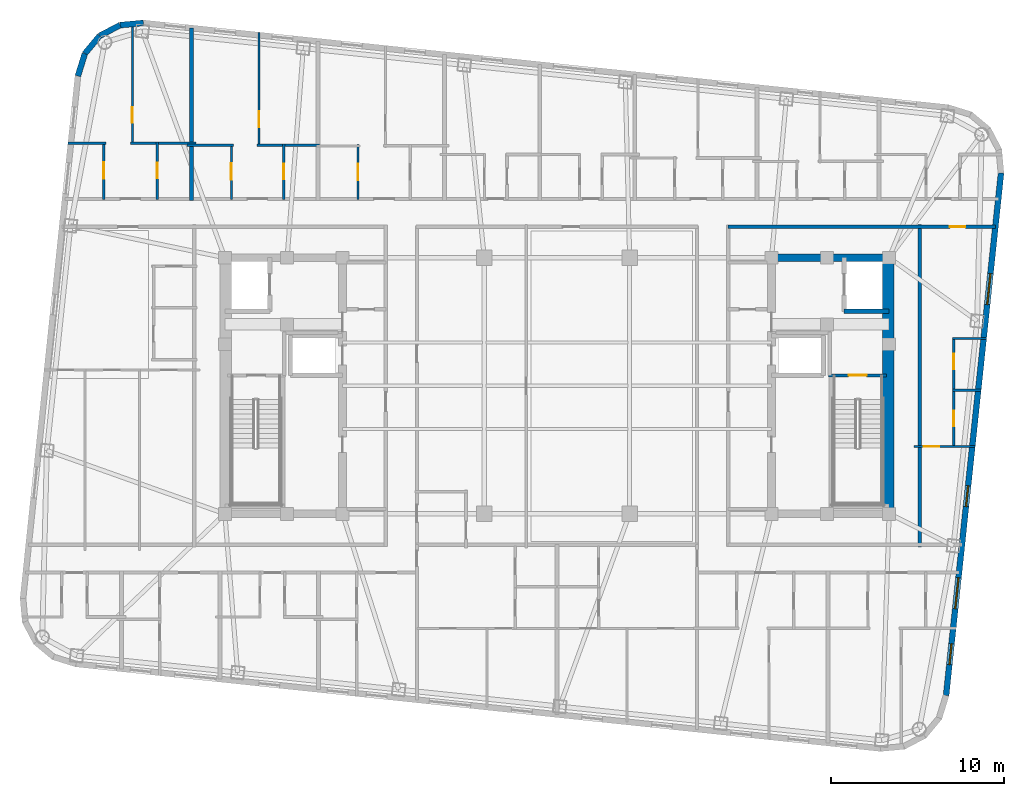
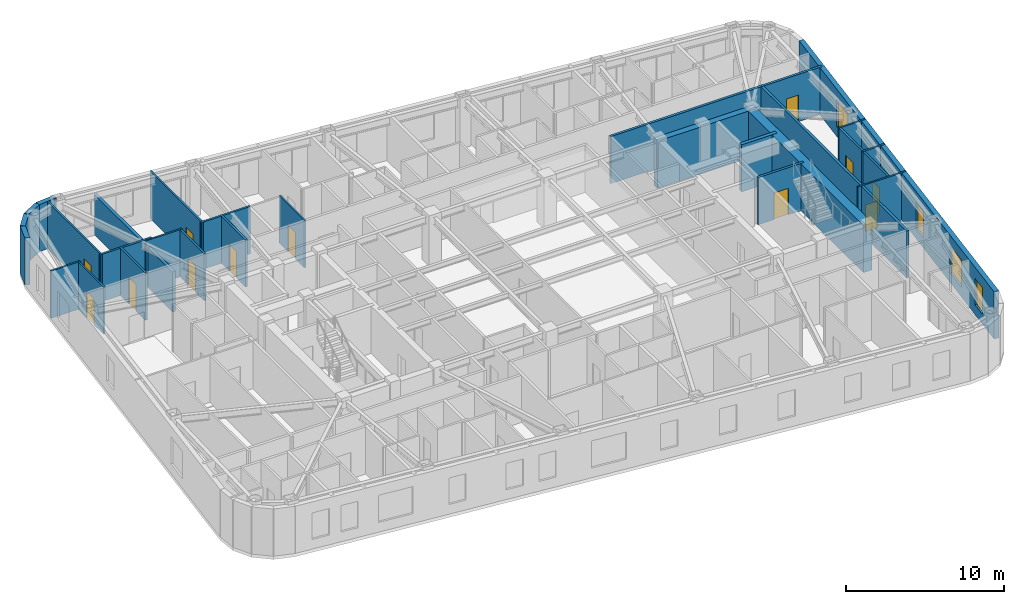
# One storey, part 7 of 11: 28 walls, 12 doors, 4 windows, 16 openings.
"""IFC4 building model written with IfcOpenShell, lengths in metres."""

from ifc_helpers import new_model, si_unit, direction, frame, frame_2d, origin, place, context, subcontext, project, spatial, rectangle, extrude, material, layer, layer_set, type_object, element, fill, save


model = new_model("IFC4")

# Units and contexts
model_context = context("Model", 3, precision=1e-05, world=origin(), true_north=direction((0.0, 1.0)))
body_context = subcontext(model_context, "Body", "Model", "MODEL_VIEW")
ifc_project = project(units=[si_unit("LENGTHUNIT", "METRE"), si_unit("AREAUNIT", "SQUARE_METRE"), si_unit("VOLUMEUNIT", "CUBIC_METRE"), si_unit("PLANEANGLEUNIT", "RADIAN"), si_unit("MASSUNIT", "GRAM", prefix="KILO")], contexts=[model_context])

# Site, building, storey
site_placement = place(None, origin())
site = spatial("IfcSite", under=ifc_project, at=site_placement, CompositionType="ELEMENT")
building_placement = place(site_placement, origin())
building = spatial("IfcBuilding", under=site, at=building_placement, Name="Voryun Gate Residences", CompositionType="ELEMENT")
storey_placement = place(building_placement, frame((0.0, 0.0, 279.5)))
storey = spatial("IfcBuildingStorey", under=building, at=storey_placement, Name="L69", CompositionType="ELEMENT", Elevation=279.5)

# Walls
ifc_material_1 = material(Name="Concrete C50/60", Category="concrete")
ifc_layer_1 = layer(ifc_material_1, 0.449951171875, Name="CW_CORE_450")
ifc_layer_set_1 = layer_set([ifc_layer_1], Name="Concrete C50/60")
wall_type_1 = type_object("IfcWallType", Name="CW_CORE_450", PredefinedType="SHEAR", material=ifc_layer_set_1)
wall_1_placement = place(storey_placement, frame((12.175048828125, 7.39990234375, 0.0), z_axis=(0.0, 0.0, 1.0), x_axis=(1.0, 0.0, 0.0)))
element("IfcWall", 1, at=wall_1_placement, inside=storey, type_object=wall_type_1, Name="L69 Core shear wall CW-L69-EN", PredefinedType="SHEAR", context=body_context, shape_type="SweptSolid", body=[
    extrude(rectangle(XDim=7.25, YDim=0.449951171875, at=frame_2d((3.625, 0.0))), origin(), (0.0, 0.0, 1.0), 3.64990234375),
])
ifc_material_2 = material(Name="Concrete C60/75", Category="concrete")
ifc_layer_2 = layer(ifc_material_2, 0.64990234375, Name="CW_CORE_650")
ifc_layer_set_2 = layer_set([ifc_layer_2], Name="Concrete C60/75")
wall_type_2 = type_object("IfcWallType", Name="CW_CORE_650", PredefinedType="SHEAR", material=ifc_layer_set_2)
wall_2_placement = place(storey_placement, frame((19.14501953125, -7.39990234375, 0.0), z_axis=(0.0, 0.0, 1.0), x_axis=(0.0, 1.0, 0.0)))
element("IfcWall", 2, at=wall_2_placement, inside=storey, type_object=wall_type_2, Name="L69 Core shear wall CW-L69-EE", PredefinedType="SHEAR", context=body_context, shape_type="SweptSolid", body=[
    extrude(rectangle(XDim=14.7998046875, YDim=0.64990234375, at=frame_2d((7.39990234375, 0.0))), origin(), (0.0, 0.0, 1.0), 3.64990234375),
])

# Wall, opening, door
ifc_material_3 = material(Name="Gypsum acoustic fireboard")
ifc_layer_3 = layer(ifc_material_3, 0.179931640625, Name="W_CORR_RATED_180")
ifc_layer_set_3 = layer_set([ifc_layer_3], Name="Gypsum acoustic fireboard")
wall_type_3 = type_object("IfcWallType", Name="W_CORR_RATED_180", PredefinedType="PARTITIONING", material=ifc_layer_set_3)
wall_3_placement = place(storey_placement, frame((15.699951171875, 0.60009765625, 0.0), z_axis=(0.0, 0.0, 1.0), x_axis=(1.0, 0.0, 0.0)))
wall_3 = element("IfcWall", 3, at=wall_3_placement, inside=storey, type_object=wall_type_3, Name="Partition wall WP-L69-STV-E", PredefinedType="PARTITIONING", context=body_context, shape_type="SweptSolid", body=[
    extrude(rectangle(XDim=3.360107421875, YDim=0.179931640625, at=frame_2d((1.68017578125, 0.0))), origin(), (0.0, 0.0, 1.0), 3.64990234375),
])
opening_1_placement = place(wall_3_placement, frame((1.155029296875, 0.0, 0.0)))
opening_1 = element("IfcOpeningElement", 4, at=opening_1_placement, cuts=wall_3, Name="Opening D-FD60-1", PredefinedType="OPENING", context=body_context, shape_type="SweptSolid", body=[
    extrude(rectangle(XDim=1.050048828125, YDim=2.050048828125, at=frame_2d((0.52490234375, 1.02490234375))), frame((0.0, 0.099853515625, 0.0), z_axis=(0.0, -1.0, 0.0), x_axis=(1.0, 0.0, 0.0)), (0.0, 0.0, 1.0), 0.199951171875),
])
ifc_material_4 = material(Name="Painted steel fire door", Category="steel")
door_type_1 = type_object("IfcDoorType", Name="DR_FD60_STAIR_1050", OperationType="NOTDEFINED", PredefinedType="DOOR", material=ifc_material_4)
door_1_placement = place(opening_1_placement, origin())
door_1 = element("IfcDoor", 5, at=door_1_placement, inside=storey, type_object=door_type_1, Name="Door DR-L69-ST-E", OperationType="SINGLE_SWING_RIGHT", OverallHeight=2.050048828125, OverallWidth=1.050048828125, PredefinedType="DOOR", context=body_context, shape_type="SweptSolid", body=[
    extrude(rectangle(XDim=1.050048828125, YDim=2.050048828125, at=frame_2d((0.52490234375, 1.02490234375))), frame((0.0, 0.02490234375, 0.0), z_axis=(0.0, -1.0, 0.0), x_axis=(1.0, 0.0, 0.0)), (0.0, 0.0, 1.0), 0.050048828125),
])
fill(opening_1, door_1)

wall_4_placement = place(storey_placement, frame((9.8798828125, 9.18994140625, 0.0), z_axis=(0.0, 0.0, 1.0), x_axis=(1.0, 0.0, 0.0)))
wall_4 = element("IfcWall", 6, at=wall_4_placement, inside=storey, type_object=wall_type_3, Name="Partition wall WP-L69-CWING-EN", PredefinedType="PARTITIONING", context=body_context, shape_type="SweptSolid", body=[
    extrude(rectangle(XDim=15.4638671875, YDim=0.179931640625, at=frame_2d((7.73193359375, 0.0))), origin(), (0.0, 0.0, 1.0), 3.64990234375),
])
opening_2_placement = place(wall_4_placement, frame((12.831787109375, 0.0, 0.0)))
opening_2 = element("IfcOpeningElement", 7, at=opening_2_placement, cuts=wall_4, Name="Opening D-INT-2", PredefinedType="OPENING", context=body_context, shape_type="SweptSolid", body=[
    extrude(rectangle(XDim=0.89990234375, YDim=2.050048828125, at=frame_2d((0.449951171875, 1.02490234375))), frame((0.0, 0.099853515625, 0.0), z_axis=(0.0, -1.0, 0.0), x_axis=(1.0, 0.0, 0.0)), (0.0, 0.0, 1.0), 0.199951171875),
])
ifc_material_5 = material(Name="Architectural oak veneer")
door_type_2 = type_object("IfcDoorType", Name="DR_INT_BATH_900", OperationType="NOTDEFINED", PredefinedType="DOOR", material=ifc_material_5)
door_2_placement = place(opening_2_placement, origin())
door_2 = element("IfcDoor", 8, at=door_2_placement, inside=storey, type_object=door_type_2, Name="Door DR-L69-EE1N", OperationType="SINGLE_SWING_LEFT", OverallHeight=2.050048828125, OverallWidth=0.89990234375, PredefinedType="DOOR", context=body_context, shape_type="SweptSolid", body=[
    extrude(rectangle(XDim=0.89990234375, YDim=2.050048828125, at=frame_2d((0.449951171875, 1.02490234375))), frame((0.0, 0.02490234375, 0.0), z_axis=(0.0, -1.0, 0.0), x_axis=(1.0, 0.0, 0.0)), (0.0, 0.0, 1.0), 0.050048828125),
])
fill(opening_2, door_2)

# Walls
wall_5_placement = place(storey_placement, frame((20.969970703125, -9.31005859375, 0.0), z_axis=(0.0, 0.0, 1.0), x_axis=(0.0, 1.0, 0.0)))
element("IfcWall", 9, at=wall_5_placement, inside=storey, type_object=wall_type_3, Name="Partition wall WP-L69-ECOR", PredefinedType="PARTITIONING", context=body_context, shape_type="SweptSolid", body=[
    extrude(rectangle(XDim=18.6201171875, YDim=0.179931640625, at=frame_2d((9.31005859375, 0.0))), origin(), (0.0, 0.0, 1.0), 3.64990234375),
])
ifc_material_6 = material(Name="Charcoal terracotta masonry", Category="masonry")
ifc_layer_4 = layer(ifc_material_6, 0.340087890625, Name="W_EXT_TERRACOTTA_340")
ifc_layer_set_4 = layer_set([ifc_layer_4], Name="Charcoal terracotta masonry")
wall_type_4 = type_object("IfcWallType", Name="W_EXT_TERRACOTTA_340", PredefinedType="ELEMENTEDWALL", material=ifc_layer_set_4)
wall_6_placement = place(storey_placement, frame((-27.69580078125, 17.904541015625, 0.0), z_axis=(0.0, 0.0, 1.0), x_axis=(0.296416228123, 0.955058856671, 0.0)))
element("IfcWall", 10, at=wall_6_placement, inside=storey, type_object=wall_type_4, Name="Exterior wall WEXT-L69-07", PredefinedType="ELEMENTEDWALL", context=body_context, shape_type="SweptSolid", body=[
    extrude(rectangle(XDim=1.35400390625, YDim=0.340087890625, at=frame_2d((0.677001953125, 0.0))), origin(), (0.0, 0.0, 1.0), 3.64990234375),
])
wall_7_placement = place(storey_placement, frame((-27.29443359375, 19.19775390625, 0.0), z_axis=(0.0, 0.0, 1.0), x_axis=(0.639501603217, 0.768789762863, 0.0)))
element("IfcWall", 11, at=wall_7_placement, inside=storey, type_object=wall_type_4, Name="Exterior wall WEXT-L69-08", PredefinedType="ELEMENTEDWALL", context=body_context, shape_type="SweptSolid", body=[
    extrude(rectangle(XDim=1.3369140625, YDim=0.340087890625, at=frame_2d((0.66845703125, 0.0))), origin(), (0.0, 0.0, 1.0), 3.64990234375),
])
wall_8_placement = place(storey_placement, frame((-26.439453125, 20.2255859375, 0.0), z_axis=(0.0, 0.0, 1.0), x_axis=(0.884922182678, 0.465738908193, 0.0)))
element("IfcWall", 12, at=wall_8_placement, inside=storey, type_object=wall_type_4, Name="Exterior wall WEXT-L69-09", PredefinedType="ELEMENTEDWALL", context=body_context, shape_type="SweptSolid", body=[
    extrude(rectangle(XDim=1.337158203125, YDim=0.340087890625, at=frame_2d((0.66845703125, 0.0))), origin(), (0.0, 0.0, 1.0), 3.64990234375),
])
wall_9_placement = place(storey_placement, frame((-25.256103515625, 20.848388671875, 0.0), z_axis=(0.0, 0.0, 1.0), x_axis=(0.995813013343, 0.091413579172, 0.0)))
element("IfcWall", 13, at=wall_9_placement, inside=storey, type_object=wall_type_4, Name="Exterior wall WEXT-L69-10", PredefinedType="ELEMENTEDWALL", context=body_context, shape_type="SweptSolid", body=[
    extrude(rectangle(XDim=1.35400390625, YDim=0.340087890625, at=frame_2d((0.677001953125, 0.0))), origin(), (0.0, 0.0, 1.0), 3.64990234375),
])

# Wall, openings, windows
wall_10_placement = place(storey_placement, frame((25.670166015625, 12.295654296875, 0.0), z_axis=(0.0, 0.0, 1.0), x_axis=(-0.104533282919, -0.994521388791, 0.0)))
wall_10 = element("IfcWall", 14, at=wall_10_placement, inside=storey, type_object=wall_type_4, Name="Exterior wall WEXT-L69-16", PredefinedType="ELEMENTEDWALL", context=body_context, shape_type="SweptSolid", body=[
    extrude(rectangle(XDim=30.366455078125, YDim=0.340087890625, at=frame_2d((15.18310546875, 0.0))), origin(), (0.0, 0.0, 1.0), 3.64990234375),
])
opening_3_placement = place(wall_10_placement, frame((5.841552734375, 0.0, 0.75)))
opening_3 = element("IfcOpeningElement", 15, at=opening_3_placement, cuts=wall_10, Name="Opening WN1", PredefinedType="OPENING", context=body_context, shape_type="SweptSolid", body=[
    extrude(rectangle(XDim=1.800048828125, YDim=2.10009765625, at=frame_2d((0.89990234375, 1.050048828125))), frame((0.0, 0.179931640625, 0.0), z_axis=(0.0, -1.0, 0.0), x_axis=(1.0, 0.0, 0.0)), (0.0, 0.0, 1.0), 0.360107421875),
])
opening_4_placement = place(wall_10_placement, frame((23.52490234375, 0.0, 0.75)))
opening_4 = element("IfcOpeningElement", 16, at=opening_4_placement, cuts=wall_10, Name="Opening WN1", PredefinedType="OPENING", context=body_context, shape_type="SweptSolid", body=[
    extrude(rectangle(XDim=1.800048828125, YDim=2.10009765625, at=frame_2d((0.89990234375, 1.050048828125))), frame((0.0, 0.179931640625, 0.0), z_axis=(0.0, -1.0, 0.0), x_axis=(1.0, 0.0, 0.0)), (0.0, 0.0, 1.0), 0.360107421875),
])
opening_5_placement = place(wall_10_placement, frame((27.368408203125, 0.0, 0.75)))
opening_5 = element("IfcOpeningElement", 17, at=opening_5_placement, cuts=wall_10, Name="Opening WN6", PredefinedType="OPENING", context=body_context, shape_type="SweptSolid", body=[
    extrude(rectangle(XDim=1.199951171875, YDim=2.050048828125, at=frame_2d((0.60009765625, 1.02490234375))), frame((0.0, 0.179931640625, 0.0), z_axis=(0.0, -1.0, 0.0), x_axis=(1.0, 0.0, 0.0)), (0.0, 0.0, 1.0), 0.360107421875),
])
opening_6_placement = place(wall_10_placement, frame((18.180908203125, 0.0, 0.75)))
opening_6 = element("IfcOpeningElement", 18, at=opening_6_placement, cuts=wall_10, Name="Opening WN6", PredefinedType="OPENING", context=body_context, shape_type="SweptSolid", body=[
    extrude(rectangle(XDim=1.199951171875, YDim=2.050048828125, at=frame_2d((0.60009765625, 1.02490234375))), frame((0.0, 0.179931640625, 0.0), z_axis=(0.0, -1.0, 0.0), x_axis=(1.0, 0.0, 0.0)), (0.0, 0.0, 1.0), 0.360107421875),
])
ifc_material_7 = material(Name="Laminated low-E glass", Category="glass")
window_type_1 = type_object("IfcWindowType", Name="WN_POD_SLOT_1200", PartitioningType="SINGLE_PANEL", PredefinedType="WINDOW", material=ifc_material_7)
window_1_placement = place(opening_5_placement, origin())
window_1 = element("IfcWindow", 19, at=window_1_placement, inside=storey, type_object=window_type_1, Name="Window WN-L69-DWFIX-21", OverallHeight=2.050048828125, OverallWidth=1.199951171875, PartitioningType="SINGLE_PANEL", PredefinedType="WINDOW", context=body_context, shape_type="SweptSolid", body=[
    extrude(rectangle(XDim=1.199951171875, YDim=2.050048828125, at=frame_2d((0.60009765625, 1.02490234375))), frame((0.0, 0.030029296875, 0.0), z_axis=(0.0, -1.0, 0.0), x_axis=(1.0, 0.0, 0.0)), (0.0, 0.0, 1.0), 0.06005859375),
])
fill(opening_5, window_1)
window_2_placement = place(opening_6_placement, origin())
window_2 = element("IfcWindow", 20, at=window_2_placement, inside=storey, type_object=window_type_1, Name="Window WN-L69-DWFIX-26", OverallHeight=2.050048828125, OverallWidth=1.199951171875, PartitioningType="SINGLE_PANEL", PredefinedType="WINDOW", context=body_context, shape_type="SweptSolid", body=[
    extrude(rectangle(XDim=1.199951171875, YDim=2.050048828125, at=frame_2d((0.60009765625, 1.02490234375))), frame((0.0, 0.030029296875, 0.0), z_axis=(0.0, -1.0, 0.0), x_axis=(1.0, 0.0, 0.0)), (0.0, 0.0, 1.0), 0.06005859375),
])
fill(opening_6, window_2)
ifc_material_8 = material(Name="Laminated low-E glass", Category="glass")
window_type_2 = type_object("IfcWindowType", Name="WN_RES_PUNCH_1800", PartitioningType="SINGLE_PANEL", PredefinedType="WINDOW", material=ifc_material_8)
window_3_placement = place(opening_3_placement, origin())
window_3 = element("IfcWindow", 21, at=window_3_placement, inside=storey, type_object=window_type_2, Name="Window WN-WEXT-L69-16-01", OverallHeight=2.10009765625, OverallWidth=1.800048828125, PartitioningType="SINGLE_PANEL", PredefinedType="WINDOW", context=body_context, shape_type="SweptSolid", body=[
    extrude(rectangle(XDim=1.800048828125, YDim=2.10009765625, at=frame_2d((0.89990234375, 1.050048828125))), frame((0.0, 0.030029296875, 0.0), z_axis=(0.0, -1.0, 0.0), x_axis=(1.0, 0.0, 0.0)), (0.0, 0.0, 1.0), 0.06005859375),
])
fill(opening_3, window_3)
window_4_placement = place(opening_4_placement, origin())
window_4 = element("IfcWindow", 22, at=window_4_placement, inside=storey, type_object=window_type_2, Name="Window WN-WEXT-L69-16-02", OverallHeight=2.10009765625, OverallWidth=1.800048828125, PartitioningType="SINGLE_PANEL", PredefinedType="WINDOW", context=body_context, shape_type="SweptSolid", body=[
    extrude(rectangle(XDim=1.800048828125, YDim=2.10009765625, at=frame_2d((0.89990234375, 1.050048828125))), frame((0.0, 0.030029296875, 0.0), z_axis=(0.0, -1.0, 0.0), x_axis=(1.0, 0.0, 0.0)), (0.0, 0.0, 1.0), 0.06005859375),
])
fill(opening_4, window_4)

# Walls
ifc_material_9 = material(Name="Concrete C40/50", Category="concrete")
ifc_layer_5 = layer(ifc_material_9, 0.219970703125, Name="W_PARTY_ACOUSTIC_220")
ifc_layer_set_5 = layer_set([ifc_layer_5], Name="Concrete C40/50")
wall_type_5 = type_object("IfcWallType", Name="W_PARTY_ACOUSTIC_220", PredefinedType="PARTITIONING", material=ifc_layer_set_5)
wall_11_placement = place(storey_placement, frame((-21.132080078125, 10.719970703125, 0.0), z_axis=(0.0, 0.0, 1.0), x_axis=(0.0, 1.0, 0.0)))
element("IfcWall", 23, at=wall_11_placement, inside=storey, type_object=wall_type_5, Name="Partition wall WP-L69-NPTY-1", PredefinedType="PARTITIONING", context=body_context, shape_type="SweptSolid", body=[
    extrude(rectangle(XDim=9.96044921875, YDim=0.219970703125, at=frame_2d((4.980224609375, 0.0))), origin(), (0.0, 0.0, 1.0), 3.090087890625),
])
ifc_material_10 = material(Name="Concrete C50/60", Category="concrete")
ifc_layer_6 = layer(ifc_material_10, 0.25, Name="W_SHAFT_RC250")
ifc_layer_set_6 = layer_set([ifc_layer_6], Name="Concrete C50/60")
wall_type_6 = type_object("IfcWallType", Name="W_SHAFT_RC250", PredefinedType="SOLIDWALL", material=ifc_layer_set_6)
wall_12_placement = place(storey_placement, frame((16.60009765625, 4.300048828125, 0.0), z_axis=(0.0, 0.0, 1.0), x_axis=(1.0, 0.0, 0.0)))
element("IfcWall", 24, at=wall_12_placement, inside=storey, type_object=wall_type_6, Name="Lift shaft wall WSH-L69-EL-FF-E1-S", PredefinedType="SOLIDWALL", context=body_context, shape_type="SweptSolid", body=[
    extrude(rectangle(XDim=2.599853515625, YDim=0.25, at=frame_2d((1.2998046875, 0.0))), origin(), (0.0, 0.0, 1.0), 3.64990234375),
])

# Wall, opening, door
ifc_material_11 = material(Name="Gypsum acoustic partition")
ifc_layer_7 = layer(ifc_material_11, 0.125, Name="W_UNIT_PART_125")
ifc_layer_set_7 = layer_set([ifc_layer_7], Name="Gypsum acoustic partition")
wall_type_7 = type_object("IfcWallType", Name="W_UNIT_PART_125", PredefinedType="PARTITIONING", material=ifc_layer_set_7)
wall_13_placement = place(storey_placement, frame((-24.5419921875, 13.93994140625, 0.0), z_axis=(0.0, 0.0, 1.0), x_axis=(0.0, 1.0, 0.0)))
wall_13 = element("IfcWall", 25, at=wall_13_placement, inside=storey, type_object=wall_type_7, Name="Partition wall WP-L69-N1-OVR", PredefinedType="PARTITIONING", context=body_context, shape_type="SweptSolid", body=[
    extrude(rectangle(XDim=7.12451171875, YDim=0.125, at=frame_2d((3.562255859375, 0.0))), origin(), (0.0, 0.0, 1.0), 3.64990234375),
])
opening_7_placement = place(wall_13_placement, frame((1.260009765625, 0.0, 0.0)))
opening_7 = element("IfcOpeningElement", 26, at=opening_7_placement, cuts=wall_13, Name="Opening D-INT-2", PredefinedType="OPENING", context=body_context, shape_type="SweptSolid", body=[
    extrude(rectangle(XDim=0.89990234375, YDim=2.050048828125, at=frame_2d((0.449951171875, 1.02490234375))), frame((0.0, 0.072509765625, 0.0), z_axis=(0.0, -1.0, 0.0), x_axis=(1.0, 0.0, 0.0)), (0.0, 0.0, 1.0), 0.14501953125),
])
door_3_placement = place(opening_7_placement, origin())
door_3 = element("IfcDoor", 27, at=door_3_placement, inside=storey, type_object=door_type_2, Name="Door DR-L69-N1-DMB", OperationType="SINGLE_SWING_RIGHT", OverallHeight=2.050048828125, OverallWidth=0.89990234375, PredefinedType="DOOR", context=body_context, shape_type="SweptSolid", body=[
    extrude(rectangle(XDim=0.89990234375, YDim=2.050048828125, at=frame_2d((0.449951171875, 1.02490234375))), frame((0.0, 0.02490234375, 0.0), z_axis=(0.0, -1.0, 0.0), x_axis=(1.0, 0.0, 0.0)), (0.0, 0.0, 1.0), 0.050048828125),
])
fill(opening_7, door_3)

wall_14_placement = place(storey_placement, frame((-26.197021484375, 10.780029296875, 0.0), z_axis=(0.0, 0.0, 1.0), x_axis=(0.0, 1.0, 0.0)))
wall_14 = element("IfcWall", 28, at=wall_14_placement, inside=storey, type_object=wall_type_7, Name="Partition wall WP-L69-N1-IVK", PredefinedType="PARTITIONING", context=body_context, shape_type="SweptSolid", body=[
    extrude(rectangle(XDim=3.320068359375, YDim=0.125, at=frame_2d((1.66015625, 0.0))), origin(), (0.0, 0.0, 1.0), 3.64990234375),
])
opening_8_placement = place(wall_14_placement, frame((1.18505859375, 0.0, 0.0)))
opening_8 = element("IfcOpeningElement", 29, at=opening_8_placement, cuts=wall_14, Name="Opening D-INT-1", PredefinedType="OPENING", context=body_context, shape_type="SweptSolid", body=[
    extrude(rectangle(XDim=0.949951171875, YDim=2.050048828125, at=frame_2d((0.47509765625, 1.02490234375))), frame((0.0, 0.072509765625, 0.0), z_axis=(0.0, -1.0, 0.0), x_axis=(1.0, 0.0, 0.0)), (0.0, 0.0, 1.0), 0.14501953125),
])
ifc_material_12 = material(Name="Architectural oak veneer")
door_type_3 = type_object("IfcDoorType", Name="DR_INT_ROOM_950", OperationType="NOTDEFINED", PredefinedType="DOOR", material=ifc_material_12)
door_4_placement = place(opening_8_placement, origin())
door_4 = element("IfcDoor", 30, at=door_4_placement, inside=storey, type_object=door_type_3, Name="Door DR-L69-N1-DK", OperationType="SINGLE_SWING_LEFT", OverallHeight=2.050048828125, OverallWidth=0.949951171875, PredefinedType="DOOR", context=body_context, shape_type="SweptSolid", body=[
    extrude(rectangle(XDim=0.949951171875, YDim=2.050048828125, at=frame_2d((0.47509765625, 1.02490234375))), frame((0.0, 0.02490234375, 0.0), z_axis=(0.0, -1.0, 0.0), x_axis=(1.0, 0.0, 0.0)), (0.0, 0.0, 1.0), 0.050048828125),
])
fill(opening_8, door_4)

# Wall
wall_15_placement = place(storey_placement, frame((-28.255126953125, 14.02001953125, 0.0), z_axis=(0.0, 0.0, 1.0), x_axis=(1.0, 0.0, 0.0)))
element("IfcWall", 31, at=wall_15_placement, inside=storey, type_object=wall_type_7, Name="Partition wall WP-L69-N1-HZK", PredefinedType="PARTITIONING", context=body_context, shape_type="SweptSolid", body=[
    extrude(rectangle(XDim=2.17822265625, YDim=0.125, at=frame_2d((1.089111328125, 0.0))), origin(), (0.0, 0.0, 1.0), 3.64990234375),
])

# Wall, opening, door
wall_16_placement = place(storey_placement, frame((-17.22607421875, 13.822021484375, 0.0), z_axis=(0.0, 0.0, 1.0), x_axis=(0.0, 1.0, 0.0)))
wall_16 = element("IfcWall", 32, at=wall_16_placement, inside=storey, type_object=wall_type_7, Name="Partition wall WP-L69-N2-OVR", PredefinedType="PARTITIONING", context=body_context, shape_type="SweptSolid", body=[
    extrude(rectangle(XDim=6.5986328125, YDim=0.125, at=frame_2d((3.29931640625, 0.0))), origin(), (0.0, 0.0, 1.0), 3.64990234375),
])
opening_9_placement = place(wall_16_placement, frame((1.1337890625, 0.0, 0.0)))
opening_9 = element("IfcOpeningElement", 33, at=opening_9_placement, cuts=wall_16, Name="Opening D-INT-2", PredefinedType="OPENING", context=body_context, shape_type="SweptSolid", body=[
    extrude(rectangle(XDim=0.89990234375, YDim=2.050048828125, at=frame_2d((0.449951171875, 1.02490234375))), frame((0.0, 0.072509765625, 0.0), z_axis=(0.0, -1.0, 0.0), x_axis=(1.0, 0.0, 0.0)), (0.0, 0.0, 1.0), 0.14501953125),
])
door_5_placement = place(opening_9_placement, origin())
door_5 = element("IfcDoor", 34, at=door_5_placement, inside=storey, type_object=door_type_2, Name="Door DR-L69-N2-DMB", OperationType="SINGLE_SWING_RIGHT", OverallHeight=2.050048828125, OverallWidth=0.89990234375, PredefinedType="DOOR", context=body_context, shape_type="SweptSolid", body=[
    extrude(rectangle(XDim=0.89990234375, YDim=2.050048828125, at=frame_2d((0.449951171875, 1.02490234375))), frame((0.0, 0.02490234375, 0.0), z_axis=(0.0, -1.0, 0.0), x_axis=(1.0, 0.0, 0.0)), (0.0, 0.0, 1.0), 0.050048828125),
])
fill(opening_9, door_5)

wall_17_placement = place(storey_placement, frame((-18.822021484375, 10.780029296875, 0.0), z_axis=(0.0, 0.0, 1.0), x_axis=(0.0, 1.0, 0.0)))
wall_17 = element("IfcWall", 35, at=wall_17_placement, inside=storey, type_object=wall_type_7, Name="Partition wall WP-L69-N2-IVK", PredefinedType="PARTITIONING", context=body_context, shape_type="SweptSolid", body=[
    extrude(rectangle(XDim=3.201904296875, YDim=0.125, at=frame_2d((1.60107421875, 0.0))), origin(), (0.0, 0.0, 1.0), 3.64990234375),
])
opening_10_placement = place(wall_17_placement, frame((1.1259765625, 0.0, 0.0)))
opening_10 = element("IfcOpeningElement", 36, at=opening_10_placement, cuts=wall_17, Name="Opening D-INT-1", PredefinedType="OPENING", context=body_context, shape_type="SweptSolid", body=[
    extrude(rectangle(XDim=0.949951171875, YDim=2.050048828125, at=frame_2d((0.47509765625, 1.02490234375))), frame((0.0, 0.072509765625, 0.0), z_axis=(0.0, -1.0, 0.0), x_axis=(1.0, 0.0, 0.0)), (0.0, 0.0, 1.0), 0.14501953125),
])
door_6_placement = place(opening_10_placement, origin())
door_6 = element("IfcDoor", 37, at=door_6_placement, inside=storey, type_object=door_type_3, Name="Door DR-L69-N2-DK", OperationType="SINGLE_SWING_LEFT", OverallHeight=2.050048828125, OverallWidth=0.949951171875, PredefinedType="DOOR", context=body_context, shape_type="SweptSolid", body=[
    extrude(rectangle(XDim=0.949951171875, YDim=2.050048828125, at=frame_2d((0.47509765625, 1.02490234375))), frame((0.0, 0.02490234375, 0.0), z_axis=(0.0, -1.0, 0.0), x_axis=(1.0, 0.0, 0.0)), (0.0, 0.0, 1.0), 0.050048828125),
])
fill(opening_10, door_6)

# Wall
wall_18_placement = place(storey_placement, frame((-21.39208984375, 13.902099609375, 0.0), z_axis=(0.0, 0.0, 1.0), x_axis=(1.0, 0.0, 0.0)))
element("IfcWall", 38, at=wall_18_placement, inside=storey, type_object=wall_type_7, Name="Partition wall WP-L69-N2-HZK", PredefinedType="PARTITIONING", context=body_context, shape_type="SweptSolid", body=[
    extrude(rectangle(XDim=2.690185546875, YDim=0.125, at=frame_2d((1.34521484375, 0.0))), origin(), (0.0, 0.0, 1.0), 3.64990234375),
])

# Wall, opening, door
wall_19_placement = place(storey_placement, frame((-11.506103515625, 10.780029296875, 0.0), z_axis=(0.0, 0.0, 1.0), x_axis=(0.0, 1.0, 0.0)))
wall_19 = element("IfcWall", 39, at=wall_19_placement, inside=storey, type_object=wall_type_7, Name="Partition wall WP-L69-N3-IVK", PredefinedType="PARTITIONING", context=body_context, shape_type="SweptSolid", body=[
    extrude(rectangle(XDim=3.166015625, YDim=0.125, at=frame_2d((1.5830078125, 0.0))), origin(), (0.0, 0.0, 1.0), 3.64990234375),
])
opening_11_placement = place(wall_19_placement, frame((1.10791015625, 0.0, 0.0)))
opening_11 = element("IfcOpeningElement", 40, at=opening_11_placement, cuts=wall_19, Name="Opening D-INT-1", PredefinedType="OPENING", context=body_context, shape_type="SweptSolid", body=[
    extrude(rectangle(XDim=0.949951171875, YDim=2.050048828125, at=frame_2d((0.47509765625, 1.02490234375))), frame((0.0, 0.072509765625, 0.0), z_axis=(0.0, -1.0, 0.0), x_axis=(1.0, 0.0, 0.0)), (0.0, 0.0, 1.0), 0.14501953125),
])
door_7_placement = place(opening_11_placement, origin())
door_7 = element("IfcDoor", 41, at=door_7_placement, inside=storey, type_object=door_type_3, Name="Door DR-L69-N3-DK", OperationType="SINGLE_SWING_LEFT", OverallHeight=2.050048828125, OverallWidth=0.949951171875, PredefinedType="DOOR", context=body_context, shape_type="SweptSolid", body=[
    extrude(rectangle(XDim=0.949951171875, YDim=2.050048828125, at=frame_2d((0.47509765625, 1.02490234375))), frame((0.0, 0.02490234375, 0.0), z_axis=(0.0, -1.0, 0.0), x_axis=(1.0, 0.0, 0.0)), (0.0, 0.0, 1.0), 0.050048828125),
])
fill(opening_11, door_7)

# Wall
wall_20_placement = place(storey_placement, frame((22.861083984375, 2.739990234375, 0.0), z_axis=(0.0, 0.0, 1.0), x_axis=(1.0, 0.0, 0.0)))
element("IfcWall", 42, at=wall_20_placement, inside=storey, type_object=wall_type_7, Name="Partition wall WP-L69-E1-HZ1", PredefinedType="PARTITIONING", context=body_context, shape_type="SweptSolid", body=[
    extrude(rectangle(XDim=1.95556640625, YDim=0.125, at=frame_2d((0.977783203125, 0.0))), origin(), (0.0, 0.0, 1.0), 3.64990234375),
])

# Wall, opening, door
wall_21_placement = place(storey_placement, frame((20.64990234375, -3.510009765625, 0.0), z_axis=(0.0, 0.0, 1.0), x_axis=(1.0, 0.0, 0.0)))
wall_21 = element("IfcWall", 43, at=wall_21_placement, inside=storey, type_object=wall_type_7, Name="Partition wall WP-L69-E1-HZ3", PredefinedType="PARTITIONING", context=body_context, shape_type="SweptSolid", body=[
    extrude(rectangle(XDim=3.509765625, YDim=0.125, at=frame_2d((1.7548828125, 0.0))), origin(), (0.0, 0.0, 1.0), 3.64990234375),
])
opening_12_placement = place(wall_21_placement, frame((0.5419921875, 0.0, 0.0)))
opening_12 = element("IfcOpeningElement", 44, at=opening_12_placement, cuts=wall_21, Name="Opening D-INT-2", PredefinedType="OPENING", context=body_context, shape_type="SweptSolid", body=[
    extrude(rectangle(XDim=0.89990234375, YDim=2.050048828125, at=frame_2d((0.449951171875, 1.02490234375))), frame((0.0, 0.072509765625, 0.0), z_axis=(0.0, -1.0, 0.0), x_axis=(1.0, 0.0, 0.0)), (0.0, 0.0, 1.0), 0.14501953125),
])
door_8_placement = place(opening_12_placement, origin())
door_8 = element("IfcDoor", 45, at=door_8_placement, inside=storey, type_object=door_type_2, Name="Door DR-L69-E1-DMB", OperationType="SINGLE_SWING_LEFT", OverallHeight=2.050048828125, OverallWidth=0.89990234375, PredefinedType="DOOR", context=body_context, shape_type="SweptSolid", body=[
    extrude(rectangle(XDim=0.89990234375, YDim=2.050048828125, at=frame_2d((0.449951171875, 1.02490234375))), frame((0.0, 0.02490234375, 0.0), z_axis=(0.0, -1.0, 0.0), x_axis=(1.0, 0.0, 0.0)), (0.0, 0.0, 1.0), 0.050048828125),
])
fill(opening_12, door_8)

# Wall
ifc_material_13 = material(Name="Gypsum moisture-resistant partition")
ifc_layer_8 = layer(ifc_material_13, 0.14990234375, Name="W_WET_PLUMB_150")
ifc_layer_set_8 = layer_set([ifc_layer_8], Name="Gypsum moisture-resistant partition")
wall_type_8 = type_object("IfcWallType", Name="W_WET_PLUMB_150", PredefinedType="PLUMBINGWALL", material=ifc_layer_set_8)
wall_22_placement = place(storey_placement, frame((-24.662109375, 14.02001953125, 0.0), z_axis=(0.0, 0.0, 1.0), x_axis=(1.0, 0.0, 0.0)))
element("IfcWall", 46, at=wall_22_placement, inside=storey, type_object=wall_type_8, Name="Partition wall WP-L69-N1-HZB", PredefinedType="PLUMBINGWALL", context=body_context, shape_type="SweptSolid", body=[
    extrude(rectangle(XDim=3.7900390625, YDim=0.14990234375, at=frame_2d((1.89501953125, 0.0))), origin(), (0.0, 0.0, 1.0), 3.64990234375),
])

# Wall, opening, door
wall_23_placement = place(storey_placement, frame((-23.112060546875, 10.780029296875, 0.0), z_axis=(0.0, 0.0, 1.0), x_axis=(0.0, 1.0, 0.0)))
wall_23 = element("IfcWall", 47, at=wall_23_placement, inside=storey, type_object=wall_type_8, Name="Partition wall WP-L69-N1-IVB", PredefinedType="PLUMBINGWALL", context=body_context, shape_type="SweptSolid", body=[
    extrude(rectangle(XDim=3.320068359375, YDim=0.14990234375, at=frame_2d((1.66015625, 0.0))), origin(), (0.0, 0.0, 1.0), 3.64990234375),
])
opening_13_placement = place(wall_23_placement, frame((1.2099609375, 0.0, 0.0)))
opening_13 = element("IfcOpeningElement", 48, at=opening_13_placement, cuts=wall_23, Name="Opening D-INT-2", PredefinedType="OPENING", context=body_context, shape_type="SweptSolid", body=[
    extrude(rectangle(XDim=0.89990234375, YDim=2.050048828125, at=frame_2d((0.449951171875, 1.02490234375))), frame((0.0, 0.0849609375, 0.0), z_axis=(0.0, -1.0, 0.0), x_axis=(1.0, 0.0, 0.0)), (0.0, 0.0, 1.0), 0.169921875),
])
door_9_placement = place(opening_13_placement, origin())
door_9 = element("IfcDoor", 49, at=door_9_placement, inside=storey, type_object=door_type_2, Name="Door DR-L69-N1-DB", OperationType="SINGLE_SWING_RIGHT", OverallHeight=2.050048828125, OverallWidth=0.89990234375, PredefinedType="DOOR", context=body_context, shape_type="SweptSolid", body=[
    extrude(rectangle(XDim=0.89990234375, YDim=2.050048828125, at=frame_2d((0.449951171875, 1.02490234375))), frame((0.0, 0.02490234375, 0.0), z_axis=(0.0, -1.0, 0.0), x_axis=(1.0, 0.0, 0.0)), (0.0, 0.0, 1.0), 0.050048828125),
])
fill(opening_13, door_9)

# Wall
wall_24_placement = place(storey_placement, frame((-17.345947265625, 13.902099609375, 0.0), z_axis=(0.0, 0.0, 1.0), x_axis=(1.0, 0.0, 0.0)))
element("IfcWall", 50, at=wall_24_placement, inside=storey, type_object=wall_type_8, Name="Partition wall WP-L69-N2-HZB", PredefinedType="PLUMBINGWALL", context=body_context, shape_type="SweptSolid", body=[
    extrude(rectangle(XDim=3.60498046875, YDim=0.14990234375, at=frame_2d((1.802490234375, 0.0))), origin(), (0.0, 0.0, 1.0), 3.64990234375),
])

# Wall, opening, door
wall_25_placement = place(storey_placement, frame((-15.7958984375, 10.780029296875, 0.0), z_axis=(0.0, 0.0, 1.0), x_axis=(0.0, 1.0, 0.0)))
wall_25 = element("IfcWall", 51, at=wall_25_placement, inside=storey, type_object=wall_type_8, Name="Partition wall WP-L69-N2-IVB", PredefinedType="PLUMBINGWALL", context=body_context, shape_type="SweptSolid", body=[
    extrude(rectangle(XDim=3.201904296875, YDim=0.14990234375, at=frame_2d((1.60107421875, 0.0))), origin(), (0.0, 0.0, 1.0), 3.64990234375),
])
opening_14_placement = place(wall_25_placement, frame((1.15087890625, 0.0, 0.0)))
opening_14 = element("IfcOpeningElement", 52, at=opening_14_placement, cuts=wall_25, Name="Opening D-INT-2", PredefinedType="OPENING", context=body_context, shape_type="SweptSolid", body=[
    extrude(rectangle(XDim=0.89990234375, YDim=2.050048828125, at=frame_2d((0.449951171875, 1.02490234375))), frame((0.0, 0.0849609375, 0.0), z_axis=(0.0, -1.0, 0.0), x_axis=(1.0, 0.0, 0.0)), (0.0, 0.0, 1.0), 0.169921875),
])
door_10_placement = place(opening_14_placement, origin())
door_10 = element("IfcDoor", 53, at=door_10_placement, inside=storey, type_object=door_type_2, Name="Door DR-L69-N2-DB", OperationType="SINGLE_SWING_RIGHT", OverallHeight=2.050048828125, OverallWidth=0.89990234375, PredefinedType="DOOR", context=body_context, shape_type="SweptSolid", body=[
    extrude(rectangle(XDim=0.89990234375, YDim=2.050048828125, at=frame_2d((0.449951171875, 1.02490234375))), frame((0.0, 0.02490234375, 0.0), z_axis=(0.0, -1.0, 0.0), x_axis=(1.0, 0.0, 0.0)), (0.0, 0.0, 1.0), 0.050048828125),
])
fill(opening_14, door_10)

# Wall
wall_26_placement = place(storey_placement, frame((22.861083984375, -0.260009765625, 0.0), z_axis=(0.0, 0.0, 1.0), x_axis=(1.0, 0.0, 0.0)))
element("IfcWall", 54, at=wall_26_placement, inside=storey, type_object=wall_type_8, Name="Partition wall WP-L69-E1-HZ2", PredefinedType="PLUMBINGWALL", context=body_context, shape_type="SweptSolid", body=[
    extrude(rectangle(XDim=1.64013671875, YDim=0.14990234375, at=frame_2d((0.820068359375, 0.0))), origin(), (0.0, 0.0, 1.0), 3.64990234375),
])

# Wall, opening, door
wall_27_placement = place(storey_placement, frame((22.94091796875, -3.550048828125, 0.0), z_axis=(0.0, 0.0, 1.0), x_axis=(0.0, 1.0, 0.0)))
wall_27 = element("IfcWall", 55, at=wall_27_placement, inside=storey, type_object=wall_type_8, Name="Partition wall WP-L69-E1-VKB1", PredefinedType="PLUMBINGWALL", context=body_context, shape_type="SweptSolid", body=[
    extrude(rectangle(XDim=3.330078125, YDim=0.14990234375, at=frame_2d((1.6650390625, 0.0))), origin(), (0.0, 0.0, 1.0), 3.64990234375),
])
opening_15_placement = place(wall_27_placement, frame((1.215087890625, 0.0, 0.0)))
opening_15 = element("IfcOpeningElement", 56, at=opening_15_placement, cuts=wall_27, Name="Opening D-INT-2", PredefinedType="OPENING", context=body_context, shape_type="SweptSolid", body=[
    extrude(rectangle(XDim=0.89990234375, YDim=2.050048828125, at=frame_2d((0.449951171875, 1.02490234375))), frame((0.0, 0.0849609375, 0.0), z_axis=(0.0, -1.0, 0.0), x_axis=(1.0, 0.0, 0.0)), (0.0, 0.0, 1.0), 0.169921875),
])
door_11_placement = place(opening_15_placement, origin())
door_11 = element("IfcDoor", 57, at=door_11_placement, inside=storey, type_object=door_type_2, Name="Door DR-L69-E1-DB", OperationType="SINGLE_SWING_LEFT", OverallHeight=2.050048828125, OverallWidth=0.89990234375, PredefinedType="DOOR", context=body_context, shape_type="SweptSolid", body=[
    extrude(rectangle(XDim=0.89990234375, YDim=2.050048828125, at=frame_2d((0.449951171875, 1.02490234375))), frame((0.0, 0.02490234375, 0.0), z_axis=(0.0, -1.0, 0.0), x_axis=(1.0, 0.0, 0.0)), (0.0, 0.0, 1.0), 0.050048828125),
])
fill(opening_15, door_11)

wall_28_placement = place(storey_placement, frame((22.94091796875, -0.300048828125, 0.0), z_axis=(0.0, 0.0, 1.0), x_axis=(0.0, 1.0, 0.0)))
wall_28 = element("IfcWall", 58, at=wall_28_placement, inside=storey, type_object=wall_type_8, Name="Partition wall WP-L69-E1-VKB2", PredefinedType="PLUMBINGWALL", context=body_context, shape_type="SweptSolid", body=[
    extrude(rectangle(XDim=3.080078125, YDim=0.14990234375, at=frame_2d((1.5400390625, 0.0))), origin(), (0.0, 0.0, 1.0), 3.64990234375),
])
opening_16_placement = place(wall_28_placement, frame((1.243896484375, 0.0, 0.0)))
opening_16 = element("IfcOpeningElement", 59, at=opening_16_placement, cuts=wall_28, Name="Opening D-INT-2", PredefinedType="OPENING", context=body_context, shape_type="SweptSolid", body=[
    extrude(rectangle(XDim=0.89990234375, YDim=2.050048828125, at=frame_2d((0.449951171875, 1.02490234375))), frame((0.0, 0.0849609375, 0.0), z_axis=(0.0, -1.0, 0.0), x_axis=(1.0, 0.0, 0.0)), (0.0, 0.0, 1.0), 0.169921875),
])
door_12_placement = place(opening_16_placement, origin())
door_12 = element("IfcDoor", 60, at=door_12_placement, inside=storey, type_object=door_type_2, Name="Door DR-L69-E1-DK", OperationType="SINGLE_SWING_RIGHT", OverallHeight=2.050048828125, OverallWidth=0.89990234375, PredefinedType="DOOR", context=body_context, shape_type="SweptSolid", body=[
    extrude(rectangle(XDim=0.89990234375, YDim=2.050048828125, at=frame_2d((0.449951171875, 1.02490234375))), frame((0.0, 0.02490234375, 0.0), z_axis=(0.0, -1.0, 0.0), x_axis=(1.0, 0.0, 0.0)), (0.0, 0.0, 1.0), 0.050048828125),
])
fill(opening_16, door_12)

save(model, "model.ifc")
